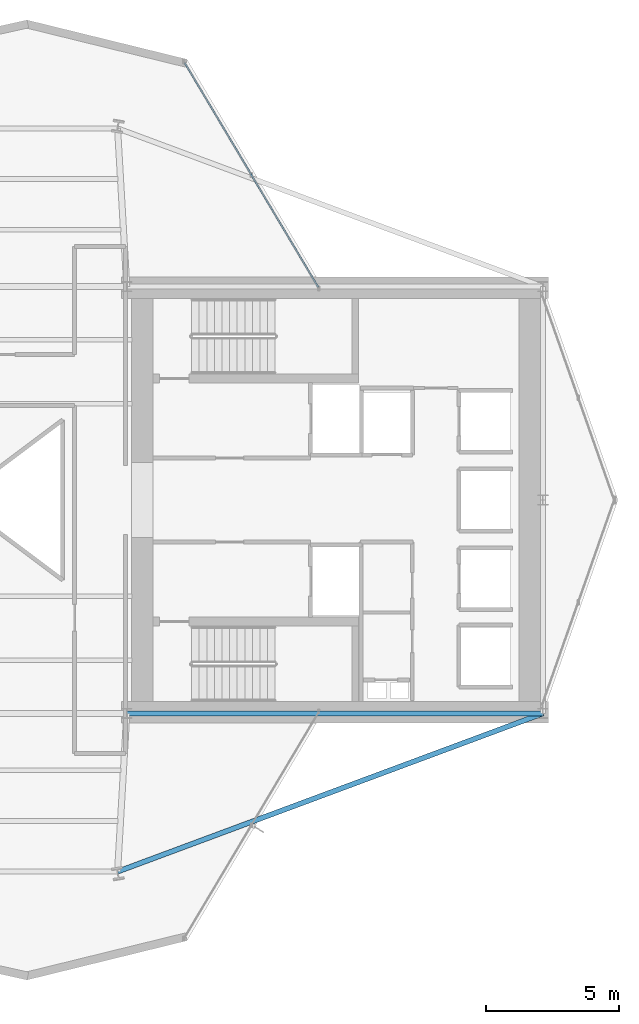
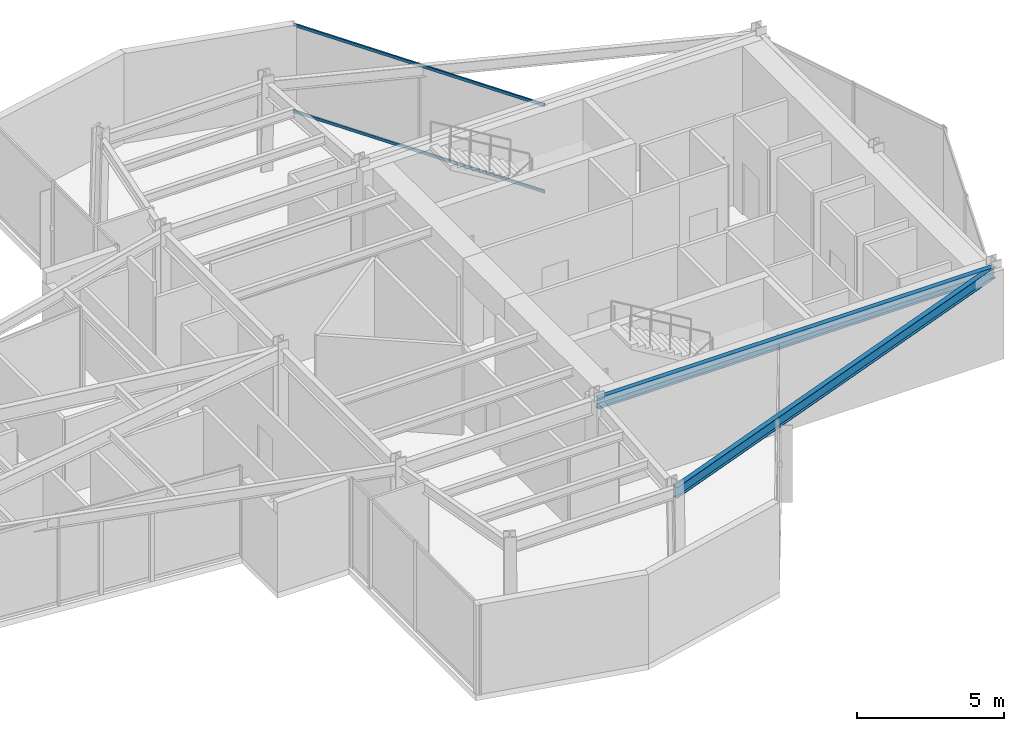
# One storey, part 13 of 23: 2 beams, 2 members, 1 element without a shape of its own.
"""IFC4 building model written with IfcOpenShell, lengths in metres."""

from ifc_helpers import new_model, si_unit, direction, frame, origin, origin_2d, place, context, subcontext, project, spatial, hollow_rectangle, i_section, extrude, material, layer, layer_set, material_profile, profile_set, type_object, element, aggregate, save


model = new_model("IFC4")

# Units and contexts
model_context = context("Model", 3, precision=1e-05, world=origin(), true_north=direction((0.0, 1.0)))
body_context = subcontext(model_context, "Body", "Model", "MODEL_VIEW")
ifc_project = project(units=[si_unit("LENGTHUNIT", "METRE"), si_unit("AREAUNIT", "SQUARE_METRE"), si_unit("VOLUMEUNIT", "CUBIC_METRE"), si_unit("PLANEANGLEUNIT", "RADIAN"), si_unit("MASSUNIT", "GRAM", prefix="KILO")], contexts=[model_context])

# Site, building, storey
site_placement = place(None, origin())
site = spatial("IfcSite", under=ifc_project, at=site_placement, CompositionType="ELEMENT")
building_placement = place(site_placement, origin())
building = spatial("IfcBuilding", under=site, at=building_placement, Name="Veymaron Broadcast Tower", CompositionType="ELEMENT")
storey_placement = place(building_placement, frame((0.0, 0.0, 177.60009765625)))
storey = spatial("IfcBuildingStorey", under=building, at=storey_placement, Name="L41", CompositionType="ELEMENT", Elevation=177.60009765625)

# Beams
ifc_material_1 = material(Name="Structural steel ASTM A992 Gr 50", Category="steel")
ifc_material_profile_1 = material_profile(ifc_material_1, i_section(OverallWidth=0.19091796875, OverallDepth=0.4599609375, WebThickness=0.010009765625, FlangeThickness=0.01611328125, at=origin_2d()), Name="W460X82")
ifc_profile_set_1 = profile_set([ifc_material_profile_1], Name="Structural steel ASTM A992 Gr 50")
beam_type = type_object("IfcBeamType", Name="BM-SP1", PredefinedType="SPANDREL", material=ifc_profile_set_1)
beam_1_placement = place(storey_placement, frame((39.0, 16.0, 3.5), z_axis=(1.0, 0.0, 0.0), x_axis=(0.0, 1.0, 0.0)))
element("IfcBeam", 1, at=beam_1_placement, inside=storey, type_object=beam_type, Name="L41 primary structural floor girder", PredefinedType="SPANDREL", context=body_context, shape_type="SweptSolid", body=[
    extrude(i_section(OverallWidth=0.19091796875, OverallDepth=0.4599609375, WebThickness=0.010009765625, FlangeThickness=0.01611328125, at=origin_2d()), origin(), (0.0, 0.0, 1.0), 15.60009765625),
])
beam_2_placement = place(storey_placement, frame((54.60009765625, 16.0, 3.5), z_axis=(-0.937281723064, -0.348572763723, 0.0), x_axis=(0.348572763723, -0.937281723064, 0.0)))
element("IfcBeam", 2, at=beam_2_placement, inside=storey, type_object=beam_type, Name="L41 primary structural floor girder", PredefinedType="SPANDREL", context=body_context, shape_type="SweptSolid", body=[
    extrude(i_section(OverallWidth=0.19091796875, OverallDepth=0.4599609375, WebThickness=0.010009765625, FlangeThickness=0.01611328125, at=origin_2d()), origin(), (0.0, 0.0, 1.0), 17.011962890625),
])

# Curtain wall, members
ifc_material_2 = material(Name="Anodised aluminium AA 6063-T6 and laminated low-E dark glass", Category="aluminium")
ifc_layer = layer(ifc_material_2, 0.179931640625)
ifc_layer_set = layer_set([ifc_layer], Name="Anodised aluminium AA 6063-T6 and laminated low-E dark glass")
curtain_wall_type = type_object("IfcCurtainWallType", Name="CW-SYS-03", PredefinedType="NOTDEFINED", material=ifc_layer_set)
curtain_wall_placement = place(storey_placement, origin())
curtain_wall = element("IfcCurtainWall", 3, at=curtain_wall_placement, inside=storey, type_object=curtain_wall_type, Name="L41 dark-glass curtain wall CW-L41-E5-1", PredefinedType="NOTDEFINED")
ifc_material_3 = material(Name="Anodised aluminium AA 6063-T6", Category="aluminium")
ifc_material_profile_2 = material_profile(ifc_material_3, hollow_rectangle(XDim=0.06005859375, YDim=0.1201171875, WallThickness=0.00390625, at=origin_2d()), Name="AL120X60X4")
ifc_profile_set_2 = profile_set([ifc_material_profile_2], Name="Anodised aluminium AA 6063-T6")
member_type = type_object("IfcMemberType", Name="CW-TRN-02", PredefinedType="USERDEFINED", material=ifc_profile_set_2)
member_1_placement = place(storey_placement, frame((46.17822265625, 31.971435546875, 0.06982421875), z_axis=(-0.511275359493, 0.859416957463, 0.0), x_axis=(-0.859416957463, -0.511275359493, 0.0)))
member_1 = element("IfcMember", 4, at=member_1_placement, type_object=member_type, Name="CW-L41-E5-1 transom B", ObjectType="TRANSOM", PredefinedType="USERDEFINED", context=body_context, shape_type="SweptSolid", body=[
    extrude(hollow_rectangle(XDim=0.06005859375, YDim=0.1201171875, WallThickness=0.00390625, at=origin_2d()), origin(), (0.0, 0.0, 1.0), 9.799560546875),
])
member_2_placement = place(storey_placement, frame((46.17822265625, 31.971435546875, 3.659912109375), z_axis=(-0.511275359493, 0.859416957463, 0.0), x_axis=(-0.859416957463, -0.511275359493, 0.0)))
member_2 = element("IfcMember", 5, at=member_2_placement, type_object=member_type, Name="CW-L41-E5-1 transom T", ObjectType="TRANSOM", PredefinedType="USERDEFINED", context=body_context, shape_type="SweptSolid", body=[
    extrude(hollow_rectangle(XDim=0.06005859375, YDim=0.1201171875, WallThickness=0.00390625, at=origin_2d()), origin(), (0.0, 0.0, 1.0), 9.799560546875),
])
aggregate(curtain_wall, [member_1, member_2])

save(model, "model.ifc")
